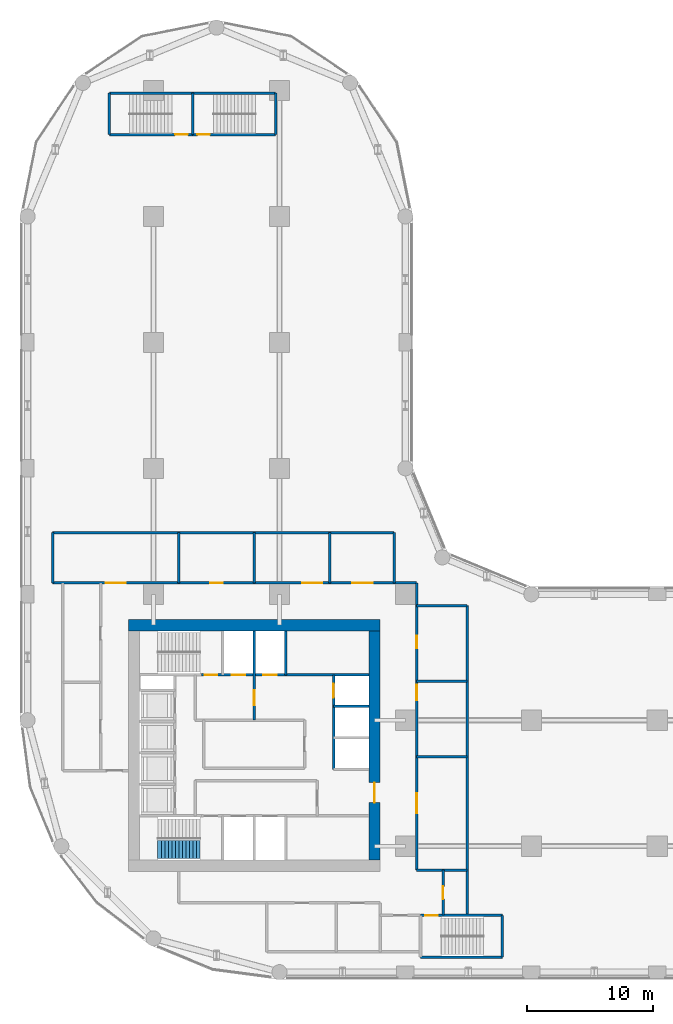
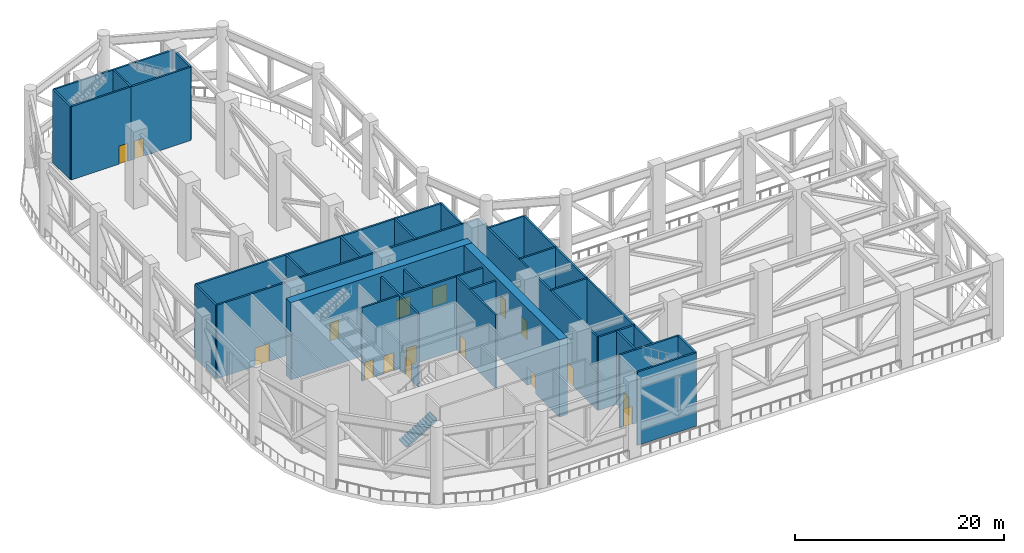
# One storey, part 9 of 14: 31 walls, 17 doors, 1 stair flight, 17 openings, 1 element without a shape of its own.
"""IFC4 building model written with IfcOpenShell, lengths in metres."""

from ifc_helpers import new_model, si_unit, direction, frame, frame_2d, origin, place, context, subcontext, project, spatial, polyline, rectangle, outline, extrude, material, layer, layer_set, type_object, element, fill, aggregate, save


model = new_model("IFC4")

# Units and contexts
model_context = context("Model", 3, precision=1e-05, world=origin(), true_north=direction((0.0, 1.0)))
body_context = subcontext(model_context, "Body", "Model", "MODEL_VIEW")
ifc_project = project(units=[si_unit("LENGTHUNIT", "METRE"), si_unit("AREAUNIT", "SQUARE_METRE"), si_unit("VOLUMEUNIT", "CUBIC_METRE"), si_unit("PLANEANGLEUNIT", "RADIAN"), si_unit("MASSUNIT", "GRAM", prefix="KILO")], contexts=[model_context])

# Site, building, storey
site_placement = place(None, origin())
site = spatial("IfcSite", under=ifc_project, at=site_placement, CompositionType="ELEMENT")
building_placement = place(site_placement, origin())
building = spatial("IfcBuilding", under=site, at=building_placement, Name="Qaws Garden Tower", CompositionType="ELEMENT")
storey_placement = place(building_placement, frame((0.0, 0.0, 117.300048828125)))
storey = spatial("IfcBuildingStorey", under=building, at=storey_placement, Name="L29", CompositionType="ELEMENT", Elevation=117.300048828125)

# Wall
ifc_material_1 = material(Name="Concrete C80", Category="concrete")
ifc_layer_1 = layer(ifc_material_1, 0.199951171875)
ifc_layer_set_1 = layer_set([ifc_layer_1], Name="Concrete C80")
wall_type_1 = type_object("IfcWallType", Name="Core shaft wall 200 C80", PredefinedType="SHEAR", material=ifc_layer_set_1)
wall_1_placement = place(storey_placement, frame((31.199951171875, 1.199951171875, 0.0), z_axis=(0.0, 0.0, 1.0), x_axis=(1.0, 0.0, 0.0)))
element("IfcWall", 1, at=wall_1_placement, inside=storey, type_object=wall_type_1, Name="Shaft wall", PredefinedType="SHEAR", context=body_context, shape_type="SweptSolid", body=[
    extrude(rectangle(XDim=6.5, YDim=0.199951171875, at=frame_2d((3.25, 0.0))), origin(), (0.0, 0.0, 1.0), 8.550048828125),
])

# Wall, opening, door
wall_2_placement = place(storey_placement, frame((31.199951171875, 4.5, 0.0), z_axis=(0.0, 0.0, 1.0), x_axis=(1.0, 0.0, 0.0)))
wall_2 = element("IfcWall", 2, at=wall_2_placement, inside=storey, type_object=wall_type_1, Name="Shaft wall", PredefinedType="SHEAR", context=body_context, shape_type="SweptSolid", body=[
    extrude(rectangle(XDim=6.5, YDim=0.199951171875, at=frame_2d((3.25, 0.0))), origin(), (0.0, 0.0, 1.0), 8.550048828125),
])
opening_1_placement = place(wall_2_placement, frame((0.375, 0.0, 0.0)))
opening_1 = element("IfcOpeningElement", 3, at=opening_1_placement, cuts=wall_2, Name="Opening SD12", PredefinedType="OPENING", context=body_context, shape_type="SweptSolid", body=[
    extrude(rectangle(XDim=1.0, YDim=2.10009765625, at=frame_2d((0.5, 1.050048828125))), frame((0.0, 0.10986328125, 0.0), z_axis=(0.0, -1.0, 0.0), x_axis=(1.0, 0.0, 0.0)), (0.0, 0.0, 1.0), 0.219970703125),
])
ifc_material_2 = material(Name="Steel S235", Category="steel")
door_type_1 = type_object("IfcDoorType", Name="Stair door 1000x2100", OperationType="SINGLE_SWING_RIGHT", PredefinedType="DOOR", material=ifc_material_2)
door_1_placement = place(opening_1_placement, frame((1.0, 0.0, 0.0), z_axis=(0.0, 0.0, 1.0), x_axis=(-1.0, 0.0, 0.0)))
door_1 = element("IfcDoor", 4, at=door_1_placement, inside=storey, type_object=door_type_1, Name="Stair 5 door", OperationType="SINGLE_SWING_RIGHT", OverallHeight=2.10009765625, OverallWidth=1.0, PredefinedType="DOOR", context=body_context, shape_type="SweptSolid", body=[
    extrude(rectangle(XDim=1.0, YDim=2.10009765625, at=frame_2d((0.5, 1.050048828125))), frame((0.0, 0.02490234375, 0.0), z_axis=(0.0, -1.0, 0.0), x_axis=(1.0, 0.0, 0.0)), (0.0, 0.0, 1.0), 0.050048828125),
])
fill(opening_1, door_1)

# Wall
wall_3_placement = place(storey_placement, frame((24.300048828125, 21.10009765625, 0.0), z_axis=(0.0, 0.0, 1.0), x_axis=(1.0, 0.0, 0.0)))
element("IfcWall", 5, at=wall_3_placement, inside=storey, type_object=wall_type_1, Name="Shaft wall", PredefinedType="SHEAR", context=body_context, shape_type="SweptSolid", body=[
    extrude(rectangle(XDim=2.800048828125, YDim=0.199951171875, at=frame_2d((1.39990234375, 0.0))), origin(), (0.0, 0.0, 1.0), 8.550048828125),
])

# Wall, openings, doors
wall_4_placement = place(storey_placement, frame((13.800048828125, 23.60009765625, 0.0), z_axis=(0.0, 0.0, 1.0), x_axis=(1.0, 0.0, 0.0)))
wall_4 = element("IfcWall", 6, at=wall_4_placement, inside=storey, type_object=wall_type_1, Name="Shaft wall", PredefinedType="SHEAR", context=body_context, shape_type="SweptSolid", body=[
    extrude(rectangle(XDim=13.300048828125, YDim=0.199951171875, at=frame_2d((6.64990234375, 0.0))), origin(), (0.0, 0.0, 1.0), 8.550048828125),
])
opening_2_placement = place(wall_4_placement, frame((2.39990234375, 0.0, 0.0)))
opening_2 = element("IfcOpeningElement", 7, at=opening_2_placement, cuts=wall_4, Name="Opening LD08", PredefinedType="OPENING", context=body_context, shape_type="SweptSolid", body=[
    extrude(rectangle(XDim=1.10009765625, YDim=2.10009765625, at=frame_2d((0.550048828125, 1.050048828125))), frame((0.0, 0.10986328125, 0.0), z_axis=(0.0, -1.0, 0.0), x_axis=(1.0, 0.0, 0.0)), (0.0, 0.0, 1.0), 0.219970703125),
])
opening_3_placement = place(wall_4_placement, frame((4.89990234375, 0.0, 0.0)))
opening_3 = element("IfcOpeningElement", 8, at=opening_3_placement, cuts=wall_4, Name="Opening LD09", PredefinedType="OPENING", context=body_context, shape_type="SweptSolid", body=[
    extrude(rectangle(XDim=1.10009765625, YDim=2.10009765625, at=frame_2d((0.550048828125, 1.050048828125))), frame((0.0, 0.10986328125, 0.0), z_axis=(0.0, -1.0, 0.0), x_axis=(1.0, 0.0, 0.0)), (0.0, 0.0, 1.0), 0.219970703125),
])
opening_4_placement = place(wall_4_placement, frame((0.25, 0.0, 0.0)))
opening_4 = element("IfcOpeningElement", 9, at=opening_4_placement, cuts=wall_4, Name="Opening SD11", PredefinedType="OPENING", context=body_context, shape_type="SweptSolid", body=[
    extrude(rectangle(XDim=1.0, YDim=2.10009765625, at=frame_2d((0.5, 1.050048828125))), frame((0.0, 0.10986328125, 0.0), z_axis=(0.0, -1.0, 0.0), x_axis=(1.0, 0.0, 0.0)), (0.0, 0.0, 1.0), 0.219970703125),
])
ifc_material_3 = material(Name="Steel S235", Category="steel")
door_type_2 = type_object("IfcDoorType", Name="Landing door 1100x2100", OperationType="DOUBLE_DOOR_SLIDING", PredefinedType="DOOR", material=ifc_material_3)
door_2_placement = place(opening_2_placement, origin())
door_2 = element("IfcDoor", 10, at=door_2_placement, inside=storey, type_object=door_type_2, Name="Lift FF3 landing door", OperationType="DOUBLE_DOOR_SLIDING", OverallHeight=2.10009765625, OverallWidth=1.10009765625, PredefinedType="DOOR", context=body_context, shape_type="SweptSolid", body=[
    extrude(rectangle(XDim=1.10009765625, YDim=2.10009765625, at=frame_2d((0.550048828125, 1.050048828125))), frame((0.0, 0.02490234375, 0.0), z_axis=(0.0, -1.0, 0.0), x_axis=(1.0, 0.0, 0.0)), (0.0, 0.0, 1.0), 0.050048828125),
])
fill(opening_2, door_2)
door_3_placement = place(opening_3_placement, origin())
door_3 = element("IfcDoor", 11, at=door_3_placement, inside=storey, type_object=door_type_2, Name="Lift SV2 landing door", OperationType="DOUBLE_DOOR_SLIDING", OverallHeight=2.10009765625, OverallWidth=1.10009765625, PredefinedType="DOOR", context=body_context, shape_type="SweptSolid", body=[
    extrude(rectangle(XDim=1.10009765625, YDim=2.10009765625, at=frame_2d((0.550048828125, 1.050048828125))), frame((0.0, 0.02490234375, 0.0), z_axis=(0.0, -1.0, 0.0), x_axis=(1.0, 0.0, 0.0)), (0.0, 0.0, 1.0), 0.050048828125),
])
fill(opening_3, door_3)
door_4_placement = place(opening_4_placement, origin())
door_4 = element("IfcDoor", 12, at=door_4_placement, inside=storey, type_object=door_type_1, Name="Stair 4 door", OperationType="SINGLE_SWING_RIGHT", OverallHeight=2.10009765625, OverallWidth=1.0, PredefinedType="DOOR", context=body_context, shape_type="SweptSolid", body=[
    extrude(rectangle(XDim=1.0, YDim=2.10009765625, at=frame_2d((0.5, 1.050048828125))), frame((0.0, 0.02490234375, 0.0), z_axis=(0.0, -1.0, 0.0), x_axis=(1.0, 0.0, 0.0)), (0.0, 0.0, 1.0), 0.050048828125),
])
fill(opening_4, door_4)

# Wall, opening, door
wall_5_placement = place(storey_placement, frame((6.5, 66.5, 0.0), z_axis=(0.0, 0.0, 1.0), x_axis=(1.0, 0.0, 0.0)))
wall_5 = element("IfcWall", 13, at=wall_5_placement, inside=storey, type_object=wall_type_1, Name="Shaft wall", PredefinedType="SHEAR", context=body_context, shape_type="SweptSolid", body=[
    extrude(rectangle(XDim=6.60009765625, YDim=0.199951171875, at=frame_2d((3.300048828125, 0.0))), origin(), (0.0, 0.0, 1.0), 8.550048828125),
])
opening_5_placement = place(wall_5_placement, frame((5.22509765625, 0.0, 0.0)))
opening_5 = element("IfcOpeningElement", 14, at=opening_5_placement, cuts=wall_5, Name="Opening SD13", PredefinedType="OPENING", context=body_context, shape_type="SweptSolid", body=[
    extrude(rectangle(XDim=1.0, YDim=2.10009765625, at=frame_2d((0.5, 1.050048828125))), frame((0.0, 0.10986328125, 0.0), z_axis=(0.0, -1.0, 0.0), x_axis=(1.0, 0.0, 0.0)), (0.0, 0.0, 1.0), 0.219970703125),
])
door_5_placement = place(opening_5_placement, origin())
door_5 = element("IfcDoor", 15, at=door_5_placement, inside=storey, type_object=door_type_1, Name="Stair 6 door", OperationType="SINGLE_SWING_RIGHT", OverallHeight=2.10009765625, OverallWidth=1.0, PredefinedType="DOOR", context=body_context, shape_type="SweptSolid", body=[
    extrude(rectangle(XDim=1.0, YDim=2.10009765625, at=frame_2d((0.5, 1.050048828125))), frame((0.0, 0.02490234375, 0.0), z_axis=(0.0, -1.0, 0.0), x_axis=(1.0, 0.0, 0.0)), (0.0, 0.0, 1.0), 0.050048828125),
])
fill(opening_5, door_5)

wall_6_placement = place(storey_placement, frame((13.10009765625, 66.5, 0.0), z_axis=(0.0, 0.0, 1.0), x_axis=(1.0, 0.0, 0.0)))
wall_6 = element("IfcWall", 16, at=wall_6_placement, inside=storey, type_object=wall_type_1, Name="Shaft wall", PredefinedType="SHEAR", context=body_context, shape_type="SweptSolid", body=[
    extrude(rectangle(XDim=6.599853515625, YDim=0.199951171875, at=frame_2d((3.2998046875, 0.0))), origin(), (0.0, 0.0, 1.0), 8.550048828125),
])
opening_6_placement = place(wall_6_placement, frame((0.375, 0.0, 0.0)))
opening_6 = element("IfcOpeningElement", 17, at=opening_6_placement, cuts=wall_6, Name="Opening SD14", PredefinedType="OPENING", context=body_context, shape_type="SweptSolid", body=[
    extrude(rectangle(XDim=1.0, YDim=2.10009765625, at=frame_2d((0.5, 1.050048828125))), frame((0.0, 0.10986328125, 0.0), z_axis=(0.0, -1.0, 0.0), x_axis=(1.0, 0.0, 0.0)), (0.0, 0.0, 1.0), 0.219970703125),
])
door_6_placement = place(opening_6_placement, origin())
door_6 = element("IfcDoor", 18, at=door_6_placement, inside=storey, type_object=door_type_1, Name="Stair 7 door", OperationType="SINGLE_SWING_LEFT", OverallHeight=2.10009765625, OverallWidth=1.0, PredefinedType="DOOR", context=body_context, shape_type="SweptSolid", body=[
    extrude(rectangle(XDim=1.0, YDim=2.10009765625, at=frame_2d((0.5, 1.050048828125))), frame((0.0, 0.02490234375, 0.0), z_axis=(0.0, -1.0, 0.0), x_axis=(1.0, 0.0, 0.0)), (0.0, 0.0, 1.0), 0.050048828125),
])
fill(opening_6, door_6)

# Walls
wall_7_placement = place(storey_placement, frame((6.5, 69.800048828125, 0.0), z_axis=(0.0, 0.0, 1.0), x_axis=(1.0, 0.0, 0.0)))
element("IfcWall", 19, at=wall_7_placement, inside=storey, type_object=wall_type_1, Name="Shaft wall", PredefinedType="SHEAR", context=body_context, shape_type="SweptSolid", body=[
    extrude(rectangle(XDim=6.60009765625, YDim=0.199951171875, at=frame_2d((3.300048828125, 0.0))), origin(), (0.0, 0.0, 1.0), 8.550048828125),
])
wall_8_placement = place(storey_placement, frame((13.10009765625, 69.800048828125, 0.0), z_axis=(0.0, 0.0, 1.0), x_axis=(1.0, 0.0, 0.0)))
element("IfcWall", 20, at=wall_8_placement, inside=storey, type_object=wall_type_1, Name="Shaft wall", PredefinedType="SHEAR", context=body_context, shape_type="SweptSolid", body=[
    extrude(rectangle(XDim=6.599853515625, YDim=0.199951171875, at=frame_2d((3.2998046875, 0.0))), origin(), (0.0, 0.0, 1.0), 8.550048828125),
])
for number, where, z_axis, x_axis, name in (
    (21, (6.5, 66.5, 0.0), (0.0, 0.0, 1.0), (0.0, 1.0, 0.0), "Shaft wall"),
    (22, (13.10009765625, 66.5, 0.0), (0.0, 0.0, 1.0), (0.0, 1.0, 0.0), "Shaft wall"),
):
    element("IfcWall", number, at=place(storey_placement, frame(where, z_axis=z_axis, x_axis=x_axis)), inside=storey, type_object=wall_type_1, Name=name, PredefinedType="SHEAR", context=body_context, shape_type="SweptSolid", body=[
        extrude(rectangle(XDim=3.300048828125, YDim=0.199951171875, at=frame_2d((1.64990234375, 0.0))), origin(), (0.0, 0.0, 1.0), 8.550048828125),
    ])

# Wall, opening, door
wall_9_placement = place(storey_placement, frame((18.0, 20.0, 0.0), z_axis=(0.0, 0.0, 1.0), x_axis=(0.0, 1.0, 0.0)))
wall_9 = element("IfcWall", 23, at=wall_9_placement, inside=storey, type_object=wall_type_1, Name="Shaft wall", PredefinedType="SHEAR", context=body_context, shape_type="SweptSolid", body=[
    extrude(rectangle(XDim=7.10009765625, YDim=0.199951171875, at=frame_2d((3.550048828125, 0.0))), origin(), (0.0, 0.0, 1.0), 8.550048828125),
])
opening_7_placement = place(wall_9_placement, frame((1.199951171875, 0.0, 0.0)))
opening_7 = element("IfcOpeningElement", 24, at=opening_7_placement, cuts=wall_9, Name="Opening FD16", PredefinedType="OPENING", context=body_context, shape_type="SweptSolid", body=[
    extrude(rectangle(XDim=1.199951171875, YDim=2.10009765625, at=frame_2d((0.60009765625, 1.050048828125))), frame((0.0, 0.10986328125, 0.0), z_axis=(0.0, -1.0, 0.0), x_axis=(1.0, 0.0, 0.0)), (0.0, 0.0, 1.0), 0.219970703125),
])
ifc_material_4 = material(Name="Steel S235", Category="steel")
door_type_3 = type_object("IfcDoorType", Name="Lobby door 1200x2100", OperationType="DOUBLE_DOOR_SINGLE_SWING", PredefinedType="DOOR", material=ifc_material_4)
door_7_placement = place(opening_7_placement, origin())
door_7 = element("IfcDoor", 25, at=door_7_placement, inside=storey, type_object=door_type_3, Name="Fire-fighting lobby door", OperationType="DOUBLE_DOOR_SINGLE_SWING", OverallHeight=2.10009765625, OverallWidth=1.199951171875, PredefinedType="DOOR", context=body_context, shape_type="SweptSolid", body=[
    extrude(rectangle(XDim=1.199951171875, YDim=2.10009765625, at=frame_2d((0.60009765625, 1.050048828125))), frame((0.0, 0.02490234375, 0.0), z_axis=(0.0, -1.0, 0.0), x_axis=(1.0, 0.0, 0.0)), (0.0, 0.0, 1.0), 0.050048828125),
])
fill(opening_7, door_7)

# Walls
wall_10_placement = place(storey_placement, frame((19.699951171875, 66.5, 0.0), z_axis=(0.0, 0.0, 1.0), x_axis=(0.0, 1.0, 0.0)))
element("IfcWall", 26, at=wall_10_placement, inside=storey, type_object=wall_type_1, Name="Shaft wall", PredefinedType="SHEAR", context=body_context, shape_type="SweptSolid", body=[
    extrude(rectangle(XDim=3.300048828125, YDim=0.199951171875, at=frame_2d((1.64990234375, 0.0))), origin(), (0.0, 0.0, 1.0), 8.550048828125),
])
wall_11_placement = place(storey_placement, frame((20.5, 23.60009765625, 0.0), z_axis=(0.0, 0.0, 1.0), x_axis=(0.0, 1.0, 0.0)))
element("IfcWall", 27, at=wall_11_placement, inside=storey, type_object=wall_type_1, Name="Shaft wall", PredefinedType="SHEAR", context=body_context, shape_type="SweptSolid", body=[
    extrude(rectangle(XDim=3.5, YDim=0.199951171875, at=frame_2d((1.75, 0.0))), origin(), (0.0, 0.0, 1.0), 8.550048828125),
])

# Wall, opening, door
wall_12_placement = place(storey_placement, frame((24.300048828125, 16.10009765625, 0.0), z_axis=(0.0, 0.0, 1.0), x_axis=(0.0, 1.0, 0.0)))
wall_12 = element("IfcWall", 28, at=wall_12_placement, inside=storey, type_object=wall_type_1, Name="Shaft wall", PredefinedType="SHEAR", context=body_context, shape_type="SweptSolid", body=[
    extrude(rectangle(XDim=7.5, YDim=0.199951171875, at=frame_2d((3.75, 0.0))), origin(), (0.0, 0.0, 1.0), 8.550048828125),
])
opening_8_placement = place(wall_12_placement, frame((5.699951171875, 0.0, 0.0)))
opening_8 = element("IfcOpeningElement", 29, at=opening_8_placement, cuts=wall_12, Name="Opening LD05", PredefinedType="OPENING", context=body_context, shape_type="SweptSolid", body=[
    extrude(rectangle(XDim=1.10009765625, YDim=2.10009765625, at=frame_2d((0.550048828125, 1.050048828125))), frame((0.0, 0.10986328125, 0.0), z_axis=(0.0, -1.0, 0.0), x_axis=(1.0, 0.0, 0.0)), (0.0, 0.0, 1.0), 0.219970703125),
])
door_8_placement = place(opening_8_placement, origin())
door_8 = element("IfcDoor", 30, at=door_8_placement, inside=storey, type_object=door_type_2, Name="Lift E3 landing door", OperationType="DOUBLE_DOOR_SLIDING", OverallHeight=2.10009765625, OverallWidth=1.10009765625, PredefinedType="DOOR", context=body_context, shape_type="SweptSolid", body=[
    extrude(rectangle(XDim=1.10009765625, YDim=2.10009765625, at=frame_2d((0.550048828125, 1.050048828125))), frame((0.0, 0.02490234375, 0.0), z_axis=(0.0, -1.0, 0.0), x_axis=(1.0, 0.0, 0.0)), (0.0, 0.0, 1.0), 0.050048828125),
])
fill(opening_8, door_8)

# Wall
wall_13_placement = place(storey_placement, frame((37.699951171875, 1.199951171875, 0.0), z_axis=(0.0, 0.0, 1.0), x_axis=(0.0, 1.0, 0.0)))
element("IfcWall", 31, at=wall_13_placement, inside=storey, type_object=wall_type_1, Name="Shaft wall", PredefinedType="SHEAR", context=body_context, shape_type="SweptSolid", body=[
    extrude(rectangle(XDim=3.300048828125, YDim=0.199951171875, at=frame_2d((1.64990234375, 0.0))), origin(), (0.0, 0.0, 1.0), 8.550048828125),
])

# Wall, opening, door
ifc_material_5 = material(Name="Concrete C80", Category="concrete")
ifc_layer_2 = layer(ifc_material_5, 0.89990234375)
ifc_layer_set_2 = layer_set([ifc_layer_2], Name="Concrete C80")
wall_type_2 = type_object("IfcWallType", Name="Core wall 900 C80", PredefinedType="SHEAR", material=ifc_layer_set_2)
wall_14_placement = place(storey_placement, frame((27.550048828125, 8.89990234375, 0.0), z_axis=(0.0, 0.0, 1.0), x_axis=(0.0, 1.0, 0.0)))
wall_14 = element("IfcWall", 32, at=wall_14_placement, inside=storey, type_object=wall_type_2, Name="Core wall L29 east", PredefinedType="SHEAR", context=body_context, shape_type="SweptSolid", body=[
    extrude(rectangle(XDim=18.2001953125, YDim=0.89990234375, at=frame_2d((9.10009765625, 0.0))), origin(), (0.0, 0.0, 1.0), 9.0),
])
opening_9_placement = place(wall_14_placement, frame((4.550048828125, 0.0, 0.0)))
opening_9 = element("IfcOpeningElement", 33, at=opening_9_placement, cuts=wall_14, Name="Opening ED18", PredefinedType="OPENING", context=body_context, shape_type="SweptSolid", body=[
    extrude(rectangle(XDim=1.60009765625, YDim=2.10009765625, at=frame_2d((0.800048828125, 1.050048828125))), frame((0.0, 0.4599609375, 0.0), z_axis=(0.0, -1.0, 0.0), x_axis=(1.0, 0.0, 0.0)), (0.0, 0.0, 1.0), 0.919921875),
])
ifc_material_6 = material(Name="Steel S235", Category="steel")
door_type_4 = type_object("IfcDoorType", Name="Core entrance door 1600x2100", OperationType="DOUBLE_DOOR_SINGLE_SWING", PredefinedType="DOOR", material=ifc_material_6)
door_9_placement = place(opening_9_placement, origin())
door_9 = element("IfcDoor", 34, at=door_9_placement, inside=storey, type_object=door_type_4, Name="Core entrance door", OperationType="DOUBLE_DOOR_SINGLE_SWING", OverallHeight=2.10009765625, OverallWidth=1.60009765625, PredefinedType="DOOR", context=body_context, shape_type="SweptSolid", body=[
    extrude(rectangle(XDim=1.60009765625, YDim=2.10009765625, at=frame_2d((0.800048828125, 1.050048828125))), frame((0.0, 0.02490234375, 0.0), z_axis=(0.0, -1.0, 0.0), x_axis=(1.0, 0.0, 0.0)), (0.0, 0.0, 1.0), 0.050048828125),
])
fill(opening_9, door_9)

# Wall
wall_15_placement = place(storey_placement, frame((28.0, 27.550048828125, 0.0), z_axis=(0.0, 0.0, 1.0), x_axis=(-1.0, 0.0, 0.0)))
element("IfcWall", 35, at=wall_15_placement, inside=storey, type_object=wall_type_2, Name="Core wall L29 north", PredefinedType="SHEAR", context=body_context, shape_type="SweptSolid", body=[
    extrude(rectangle(XDim=20.0, YDim=0.89990234375, at=frame_2d((10.0, 0.0))), origin(), (0.0, 0.0, 1.0), 9.0),
])

# Wall, openings, doors
ifc_material_7 = material(Name="Blockwork", Category="masonry")
ifc_layer_3 = layer(ifc_material_7, 0.199951171875)
ifc_layer_set_3 = layer_set([ifc_layer_3], Name="Blockwork")
wall_type_3 = type_object("IfcWallType", Name="Plant compartment wall 200", PredefinedType="PARTITIONING", material=ifc_layer_set_3)
wall_16_placement = place(storey_placement, frame((2.0, 30.89990234375, 0.0), z_axis=(0.0, 0.0, 1.0), x_axis=(1.0, 0.0, 0.0)))
wall_16 = element("IfcWall", 36, at=wall_16_placement, inside=storey, type_object=wall_type_3, Name="Plant zone wall", PredefinedType="PARTITIONING", context=body_context, shape_type="SweptSolid", body=[
    extrude(rectangle(XDim=28.89990234375, YDim=0.199951171875, at=frame_2d((14.449951171875, 0.0))), origin(), (0.0, 0.0, 1.0), 8.550048828125),
])
opening_10_placement = place(wall_16_placement, frame((4.199951171875, 0.0, 0.0)))
opening_10 = element("IfcOpeningElement", 37, at=opening_10_placement, cuts=wall_16, Name="Opening PZ2904", PredefinedType="OPENING", context=body_context, shape_type="SweptSolid", body=[
    extrude(rectangle(XDim=1.60009765625, YDim=2.10009765625, at=frame_2d((0.800048828125, 1.050048828125))), frame((0.0, 0.10986328125, 0.0), z_axis=(0.0, -1.0, 0.0), x_axis=(1.0, 0.0, 0.0)), (0.0, 0.0, 1.0), 0.219970703125),
])
opening_11_placement = place(wall_16_placement, frame((12.5, 0.0, 0.0)))
opening_11 = element("IfcOpeningElement", 38, at=opening_11_placement, cuts=wall_16, Name="Opening PZ2905", PredefinedType="OPENING", context=body_context, shape_type="SweptSolid", body=[
    extrude(rectangle(XDim=1.0, YDim=2.10009765625, at=frame_2d((0.5, 1.050048828125))), frame((0.0, 0.10986328125, 0.0), z_axis=(0.0, -1.0, 0.0), x_axis=(1.0, 0.0, 0.0)), (0.0, 0.0, 1.0), 0.219970703125),
])
opening_12_placement = place(wall_16_placement, frame((19.800048828125, 0.0, 0.0)))
opening_12 = element("IfcOpeningElement", 39, at=opening_12_placement, cuts=wall_16, Name="Opening PZ2906", PredefinedType="OPENING", context=body_context, shape_type="SweptSolid", body=[
    extrude(rectangle(XDim=1.60009765625, YDim=2.10009765625, at=frame_2d((0.800048828125, 1.050048828125))), frame((0.0, 0.10986328125, 0.0), z_axis=(0.0, -1.0, 0.0), x_axis=(1.0, 0.0, 0.0)), (0.0, 0.0, 1.0), 0.219970703125),
])
opening_13_placement = place(wall_16_placement, frame((23.800048828125, 0.0, 0.0)))
opening_13 = element("IfcOpeningElement", 40, at=opening_13_placement, cuts=wall_16, Name="Opening PZ2907", PredefinedType="OPENING", context=body_context, shape_type="SweptSolid", body=[
    extrude(rectangle(XDim=1.60009765625, YDim=2.10009765625, at=frame_2d((0.800048828125, 1.050048828125))), frame((0.0, 0.10986328125, 0.0), z_axis=(0.0, -1.0, 0.0), x_axis=(1.0, 0.0, 0.0)), (0.0, 0.0, 1.0), 0.219970703125),
])
ifc_material_8 = material(Name="Steel S235", Category="steel")
door_type_5 = type_object("IfcDoorType", Name="Plant door 1000x2100", OperationType="SINGLE_SWING_LEFT", PredefinedType="DOOR", material=ifc_material_8)
door_10_placement = place(opening_11_placement, origin())
door_10 = element("IfcDoor", 41, at=door_10_placement, inside=storey, type_object=door_type_5, Name="Tank room door", OperationType="SINGLE_SWING_RIGHT", OverallHeight=2.10009765625, OverallWidth=1.0, PredefinedType="DOOR", context=body_context, shape_type="SweptSolid", body=[
    extrude(rectangle(XDim=1.0, YDim=2.10009765625, at=frame_2d((0.5, 1.050048828125))), frame((0.0, 0.02490234375, 0.0), z_axis=(0.0, -1.0, 0.0), x_axis=(1.0, 0.0, 0.0)), (0.0, 0.0, 1.0), 0.050048828125),
])
fill(opening_11, door_10)
ifc_material_9 = material(Name="Steel S235", Category="steel")
door_type_6 = type_object("IfcDoorType", Name="Plant door 1600x2100", OperationType="DOUBLE_DOOR_DOUBLE_SWING", PredefinedType="DOOR", material=ifc_material_9)
door_11_placement = place(opening_10_placement, origin())
door_11 = element("IfcDoor", 42, at=door_11_placement, inside=storey, type_object=door_type_6, Name="Generator room door", OperationType="DOUBLE_DOOR_DOUBLE_SWING", OverallHeight=2.10009765625, OverallWidth=1.60009765625, PredefinedType="DOOR", context=body_context, shape_type="SweptSolid", body=[
    extrude(rectangle(XDim=1.60009765625, YDim=2.10009765625, at=frame_2d((0.800048828125, 1.050048828125))), frame((0.0, 0.02490234375, 0.0), z_axis=(0.0, -1.0, 0.0), x_axis=(1.0, 0.0, 0.0)), (0.0, 0.0, 1.0), 0.050048828125),
])
fill(opening_10, door_11)
door_12_placement = place(opening_12_placement, origin())
door_12 = element("IfcDoor", 43, at=door_12_placement, inside=storey, type_object=door_type_6, Name="Transformer room door", OperationType="DOUBLE_DOOR_DOUBLE_SWING", OverallHeight=2.10009765625, OverallWidth=1.60009765625, PredefinedType="DOOR", context=body_context, shape_type="SweptSolid", body=[
    extrude(rectangle(XDim=1.60009765625, YDim=2.10009765625, at=frame_2d((0.800048828125, 1.050048828125))), frame((0.0, 0.02490234375, 0.0), z_axis=(0.0, -1.0, 0.0), x_axis=(1.0, 0.0, 0.0)), (0.0, 0.0, 1.0), 0.050048828125),
])
fill(opening_12, door_12)
door_13_placement = place(opening_13_placement, origin())
door_13 = element("IfcDoor", 44, at=door_13_placement, inside=storey, type_object=door_type_6, Name="Mechanical plant room door", OperationType="DOUBLE_DOOR_DOUBLE_SWING", OverallHeight=2.10009765625, OverallWidth=1.60009765625, PredefinedType="DOOR", context=body_context, shape_type="SweptSolid", body=[
    extrude(rectangle(XDim=1.60009765625, YDim=2.10009765625, at=frame_2d((0.800048828125, 1.050048828125))), frame((0.0, 0.02490234375, 0.0), z_axis=(0.0, -1.0, 0.0), x_axis=(1.0, 0.0, 0.0)), (0.0, 0.0, 1.0), 0.050048828125),
])
fill(opening_13, door_13)

# Walls
wall_17_placement = place(storey_placement, frame((2.0, 34.89990234375, 0.0), z_axis=(0.0, 0.0, 1.0), x_axis=(1.0, 0.0, 0.0)))
element("IfcWall", 45, at=wall_17_placement, inside=storey, type_object=wall_type_3, Name="Plant zone wall", PredefinedType="PARTITIONING", context=body_context, shape_type="SweptSolid", body=[
    extrude(rectangle(XDim=27.10009765625, YDim=0.199951171875, at=frame_2d((13.550048828125, 0.0))), origin(), (0.0, 0.0, 1.0), 8.550048828125),
])
for number, where, z_axis, x_axis, name in (
    (46, (30.89990234375, 8.10009765625, 0.0), (0.0, 0.0, 1.0), (1.0, 0.0, 0.0), "Plant zone wall"),
    (47, (30.89990234375, 17.10009765625, 0.0), (0.0, 0.0, 1.0), (1.0, 0.0, 0.0), "Plant zone wall"),
    (48, (30.89990234375, 23.10009765625, 0.0), (0.0, 0.0, 1.0), (1.0, 0.0, 0.0), "Plant zone wall"),
    (49, (30.89990234375, 29.10009765625, 0.0), (0.0, 0.0, 1.0), (1.0, 0.0, 0.0), "Plant zone wall"),
    (50, (2.0, 30.89990234375, 0.0), (0.0, 0.0, 1.0), (0.0, 1.0, 0.0), "Plant zone wall"),
    (51, (12.0, 30.89990234375, 0.0), (0.0, 0.0, 1.0), (0.0, 1.0, 0.0), "Plant zone wall"),
    (52, (18.0, 30.89990234375, 0.0), (0.0, 0.0, 1.0), (0.0, 1.0, 0.0), "Plant zone wall"),
    (53, (24.0, 30.89990234375, 0.0), (0.0, 0.0, 1.0), (0.0, 1.0, 0.0), "Plant zone wall"),
    (54, (29.10009765625, 30.89990234375, 0.0), (0.0, 0.0, 1.0), (0.0, 1.0, 0.0), "Plant zone wall"),
):
    element("IfcWall", number, at=place(storey_placement, frame(where, z_axis=z_axis, x_axis=x_axis)), inside=storey, type_object=wall_type_3, Name=name, PredefinedType="PARTITIONING", context=body_context, shape_type="SweptSolid", body=[
        extrude(rectangle(XDim=4.0, YDim=0.199951171875, at=frame_2d((2.0, 0.0))), origin(), (0.0, 0.0, 1.0), 8.550048828125),
    ])

# Wall, openings, doors
wall_18_placement = place(storey_placement, frame((30.89990234375, 8.10009765625, 0.0), z_axis=(0.0, 0.0, 1.0), x_axis=(0.0, 1.0, 0.0)))
wall_18 = element("IfcWall", 55, at=wall_18_placement, inside=storey, type_object=wall_type_3, Name="Plant zone wall", PredefinedType="PARTITIONING", context=body_context, shape_type="SweptSolid", body=[
    extrude(rectangle(XDim=22.7998046875, YDim=0.199951171875, at=frame_2d((11.39990234375, 0.0))), origin(), (0.0, 0.0, 1.0), 8.550048828125),
])
opening_14_placement = place(wall_18_placement, frame((4.5, 0.0, 0.0)))
opening_14 = element("IfcOpeningElement", 56, at=opening_14_placement, cuts=wall_18, Name="Opening PZ2901", PredefinedType="OPENING", context=body_context, shape_type="SweptSolid", body=[
    extrude(rectangle(XDim=1.60009765625, YDim=2.10009765625, at=frame_2d((0.800048828125, 1.050048828125))), frame((0.0, 0.10986328125, 0.0), z_axis=(0.0, -1.0, 0.0), x_axis=(1.0, 0.0, 0.0)), (0.0, 0.0, 1.0), 0.219970703125),
])
opening_15_placement = place(wall_18_placement, frame((13.5, 0.0, 0.0)))
opening_15 = element("IfcOpeningElement", 57, at=opening_15_placement, cuts=wall_18, Name="Opening PZ2902", PredefinedType="OPENING", context=body_context, shape_type="SweptSolid", body=[
    extrude(rectangle(XDim=1.199951171875, YDim=2.10009765625, at=frame_2d((0.60009765625, 1.050048828125))), frame((0.0, 0.10986328125, 0.0), z_axis=(0.0, -1.0, 0.0), x_axis=(1.0, 0.0, 0.0)), (0.0, 0.0, 1.0), 0.219970703125),
])
opening_16_placement = place(wall_18_placement, frame((17.60009765625, 0.0, 0.0)))
opening_16 = element("IfcOpeningElement", 58, at=opening_16_placement, cuts=wall_18, Name="Opening PZ2903", PredefinedType="OPENING", context=body_context, shape_type="SweptSolid", body=[
    extrude(rectangle(XDim=1.0, YDim=2.10009765625, at=frame_2d((0.5, 1.050048828125))), frame((0.0, 0.10986328125, 0.0), z_axis=(0.0, -1.0, 0.0), x_axis=(1.0, 0.0, 0.0)), (0.0, 0.0, 1.0), 0.219970703125),
])
door_14_placement = place(opening_16_placement, frame((1.0, 0.0, 0.0), z_axis=(0.0, 0.0, 1.0), x_axis=(-1.0, 0.0, 0.0)))
door_14 = element("IfcDoor", 59, at=door_14_placement, inside=storey, type_object=door_type_5, Name="Switch room door", OperationType="SINGLE_SWING_LEFT", OverallHeight=2.10009765625, OverallWidth=1.0, PredefinedType="DOOR", context=body_context, shape_type="SweptSolid", body=[
    extrude(rectangle(XDim=1.0, YDim=2.10009765625, at=frame_2d((0.5, 1.050048828125))), frame((0.0, 0.02490234375, 0.0), z_axis=(0.0, -1.0, 0.0), x_axis=(1.0, 0.0, 0.0)), (0.0, 0.0, 1.0), 0.050048828125),
])
fill(opening_16, door_14)
ifc_material_10 = material(Name="Steel S235", Category="steel")
door_type_7 = type_object("IfcDoorType", Name="Plant door 1200x2100", OperationType="DOUBLE_DOOR_SINGLE_SWING", PredefinedType="DOOR", material=ifc_material_10)
door_15_placement = place(opening_15_placement, frame((1.199951171875, 0.0, 0.0), z_axis=(0.0, 0.0, 1.0), x_axis=(-1.0, 0.0, 0.0)))
door_15 = element("IfcDoor", 60, at=door_15_placement, inside=storey, type_object=door_type_7, Name="Refuge floor area door", OperationType="DOUBLE_DOOR_SINGLE_SWING", OverallHeight=2.10009765625, OverallWidth=1.199951171875, PredefinedType="DOOR", context=body_context, shape_type="SweptSolid", body=[
    extrude(rectangle(XDim=1.199951171875, YDim=2.10009765625, at=frame_2d((0.60009765625, 1.050048828125))), frame((0.0, 0.02490234375, 0.0), z_axis=(0.0, -1.0, 0.0), x_axis=(1.0, 0.0, 0.0)), (0.0, 0.0, 1.0), 0.050048828125),
])
fill(opening_15, door_15)
door_16_placement = place(opening_14_placement, frame((1.60009765625, 0.0, 0.0), z_axis=(0.0, 0.0, 1.0), x_axis=(-1.0, 0.0, 0.0)))
door_16 = element("IfcDoor", 61, at=door_16_placement, inside=storey, type_object=door_type_6, Name="Chiller plant room door", OperationType="DOUBLE_DOOR_DOUBLE_SWING", OverallHeight=2.10009765625, OverallWidth=1.60009765625, PredefinedType="DOOR", context=body_context, shape_type="SweptSolid", body=[
    extrude(rectangle(XDim=1.60009765625, YDim=2.10009765625, at=frame_2d((0.800048828125, 1.050048828125))), frame((0.0, 0.02490234375, 0.0), z_axis=(0.0, -1.0, 0.0), x_axis=(1.0, 0.0, 0.0)), (0.0, 0.0, 1.0), 0.050048828125),
])
fill(opening_14, door_16)

# Wall, opening, door
wall_19_placement = place(storey_placement, frame((33.0, 4.550048828125, 0.0), z_axis=(0.0, 0.0, 1.0), x_axis=(0.0, 1.0, 0.0)))
wall_19 = element("IfcWall", 62, at=wall_19_placement, inside=storey, type_object=wall_type_3, Name="Plant zone wall", PredefinedType="PARTITIONING", context=body_context, shape_type="SweptSolid", body=[
    extrude(rectangle(XDim=3.550048828125, YDim=0.199951171875, at=frame_2d((1.77490234375, 0.0))), origin(), (0.0, 0.0, 1.0), 8.550048828125),
])
opening_17_placement = place(wall_19_placement, frame((1.25, 0.0, 0.0)))
opening_17 = element("IfcOpeningElement", 63, at=opening_17_placement, cuts=wall_19, Name="Opening PZ2913", PredefinedType="OPENING", context=body_context, shape_type="SweptSolid", body=[
    extrude(rectangle(XDim=1.0, YDim=2.10009765625, at=frame_2d((0.5, 1.050048828125))), frame((0.0, 0.10986328125, 0.0), z_axis=(0.0, -1.0, 0.0), x_axis=(1.0, 0.0, 0.0)), (0.0, 0.0, 1.0), 0.219970703125),
])
door_17_placement = place(opening_17_placement, frame((1.0, 0.0, 0.0), z_axis=(0.0, 0.0, 1.0), x_axis=(-1.0, 0.0, 0.0)))
door_17 = element("IfcDoor", 64, at=door_17_placement, inside=storey, type_object=door_type_5, Name="Plant store door", OperationType="SINGLE_SWING_LEFT", OverallHeight=2.10009765625, OverallWidth=1.0, PredefinedType="DOOR", context=body_context, shape_type="SweptSolid", body=[
    extrude(rectangle(XDim=1.0, YDim=2.10009765625, at=frame_2d((0.5, 1.050048828125))), frame((0.0, 0.02490234375, 0.0), z_axis=(0.0, -1.0, 0.0), x_axis=(1.0, 0.0, 0.0)), (0.0, 0.0, 1.0), 0.050048828125),
])
fill(opening_17, door_17)

# Wall
wall_20_placement = place(storey_placement, frame((34.89990234375, 4.550048828125, 0.0), z_axis=(0.0, 0.0, 1.0), x_axis=(0.0, 1.0, 0.0)))
element("IfcWall", 65, at=wall_20_placement, inside=storey, type_object=wall_type_3, Name="Plant zone wall", PredefinedType="PARTITIONING", context=body_context, shape_type="SweptSolid", body=[
    extrude(rectangle(XDim=24.550048828125, YDim=0.199951171875, at=frame_2d((12.27490234375, 0.0))), origin(), (0.0, 0.0, 1.0), 8.550048828125),
])

# Stair, stair flight
ifc_material_11 = material(Name="Concrete C40", Category="concrete")
stair_type = type_object("IfcStairType", Name="Exit stair 1500", PredefinedType="HALF_TURN_STAIR", material=ifc_material_11)
stair_placement = place(storey_placement, origin())
stair = element("IfcStair", 66, at=stair_placement, inside=storey, type_object=stair_type, Name="Stair 1", PredefinedType="HALF_TURN_STAIR")
ifc_material_12 = material(Name="Concrete C40", Category="concrete")
stair_flight_type = type_object("IfcStairFlightType", Name="Stair flight 1500", PredefinedType="STRAIGHT", material=ifc_material_12)
stair_flight_placement = place(storey_placement, frame((10.340087890625, 9.75, 2.25), z_axis=(0.0, 0.0, 1.0), x_axis=(1.0, 0.0, 0.0)))
stair_flight = element("IfcStairFlight", 67, at=stair_flight_placement, type_object=stair_flight_type, Name="ST1 flight 2", NumberOfRisers=13, NumberOfTreads=12, PredefinedType="STRAIGHT", RiserHeight=0.173076923, TreadLength=0.28, context=body_context, shape_type="SweptSolid", body=[
    extrude(outline(polyline([(-0.0029296875, 0.0), (-0.0029296875, 0.173095703125), (0.0, 0.173095703125), (0.280029296875, 0.173095703125), (0.280029296875, 0.34619140625), (0.56005859375, 0.34619140625), (0.56005859375, 0.519287109375), (0.840087890625, 0.519287109375), (0.840087890625, 0.6923828125), (1.1201171875, 0.6923828125), (1.1201171875, 0.865478515625), (1.39990234375, 0.865478515625), (1.39990234375, 1.03857421875), (1.679931640625, 1.03857421875), (1.679931640625, 1.21142578125), (1.9599609375, 1.21142578125), (1.9599609375, 1.384521484375), (2.239990234375, 1.384521484375), (2.239990234375, 1.5576171875), (2.52001953125, 1.5576171875), (2.52001953125, 1.730712890625), (2.800048828125, 1.730712890625), (2.800048828125, 1.90380859375), (3.080078125, 1.90380859375), (3.080078125, 2.076904296875), (3.360107421875, 2.076904296875), (3.360107421875, 2.25), (3.363037109375, 2.25), (3.363037109375, 1.900634765625), (3.360107421875, 1.900634765625), (0.28515625, 0.0), (-0.0029296875, 0.0)])), frame((0.0, 0.71484375, 0.0), z_axis=(0.0, -1.0, 0.0), x_axis=(1.0, 0.0, 0.0)), (0.0, 0.0, 1.0), 1.429931640625),
])
aggregate(stair, [stair_flight])

save(model, "model.ifc")
